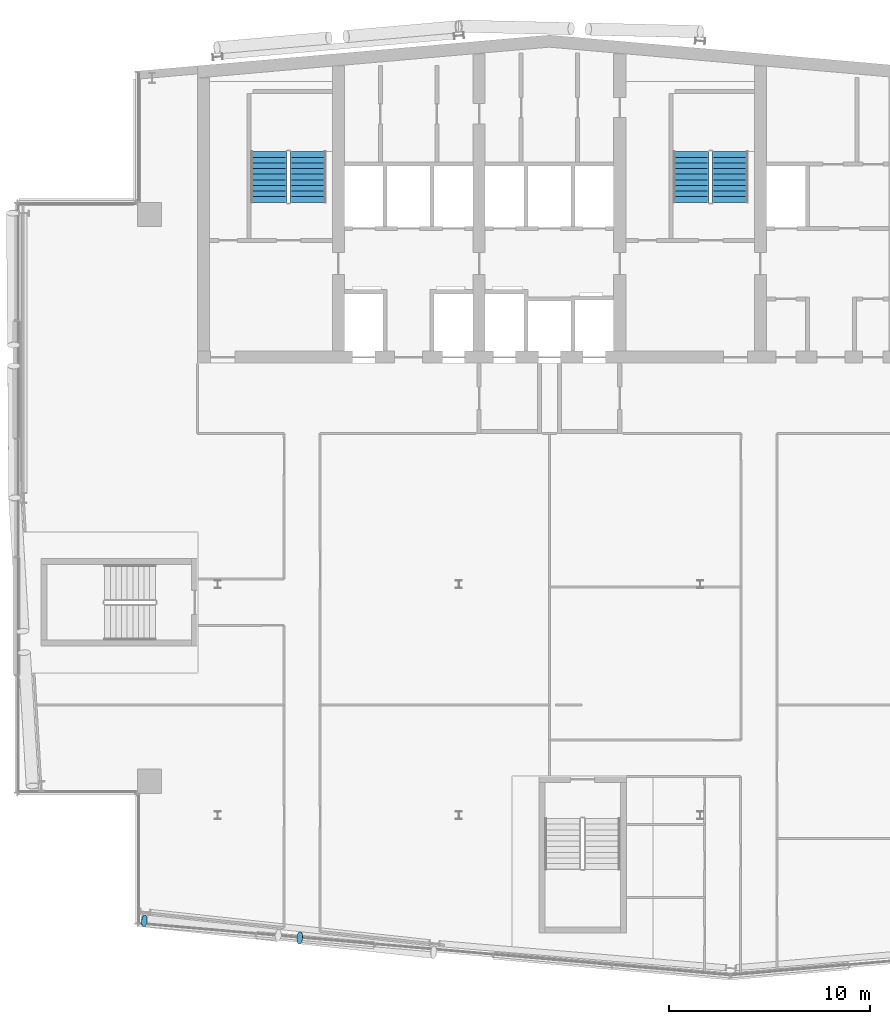
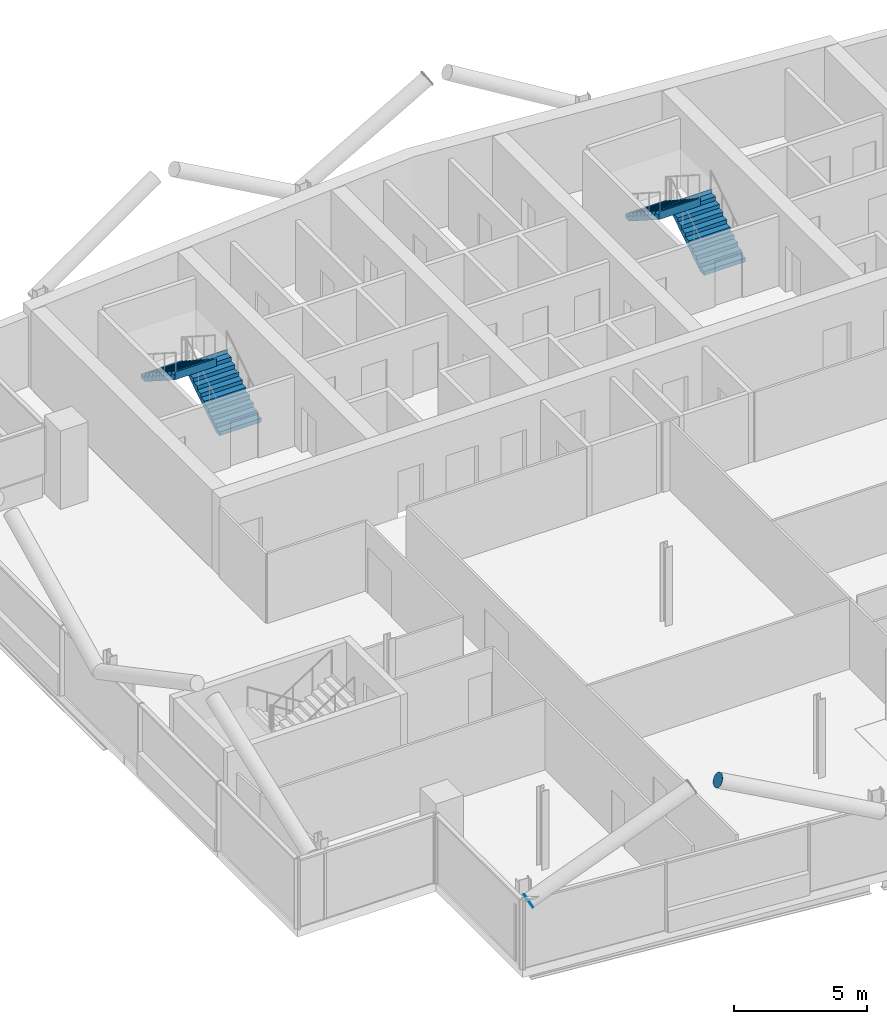
# One storey, part 21 of 28: 4 stair flights, 2 discrete accessories, 2 elements without a shape of their own.
"""IFC4 building model written with IfcOpenShell, lengths in metres."""

from ifc_helpers import new_model, si_unit, direction, frame, origin, origin_2d, place, context, subcontext, project, spatial, polyline, circle, outline, extrude, material, material_profile, profile_set, type_object, element, aggregate, save


model = new_model("IFC4")

# Units and contexts
model_context = context("Model", 3, precision=1e-05, world=origin(), true_north=direction((0.0, 1.0)))
body_context = subcontext(model_context, "Body", "Model", "MODEL_VIEW")
ifc_project = project(units=[si_unit("LENGTHUNIT", "METRE"), si_unit("AREAUNIT", "SQUARE_METRE"), si_unit("VOLUMEUNIT", "CUBIC_METRE"), si_unit("PLANEANGLEUNIT", "RADIAN"), si_unit("MASSUNIT", "GRAM", prefix="KILO")], contexts=[model_context])

# Site, building, storey
site_placement = place(None, origin())
site = spatial("IfcSite", under=ifc_project, at=site_placement, CompositionType="ELEMENT")
building_placement = place(site_placement, origin())
building = spatial("IfcBuilding", under=site, at=building_placement, Name="Wharfspan Tower", CompositionType="ELEMENT")
storey_placement = place(building_placement, frame((0.0, 0.0, 250.300049)))
storey = spatial("IfcBuildingStorey", under=building, at=storey_placement, Name="L63", CompositionType="ELEMENT", Elevation=250.300049)

# Stair, stair flights
ifc_material_1 = material(Name="Concrete C40/50", Category="concrete")
stair_type = type_object("IfcStairType", Name="Half-turn stair 20 risers 180 mm", PredefinedType="HALF_TURN_STAIR", material=ifc_material_1)
stair_1_placement = place(storey_placement, origin())
stair_1 = element("IfcStair", 1, at=stair_1_placement, inside=storey, type_object=stair_type, Name="L63 stair ST1", PredefinedType="HALF_TURN_STAIR")
stair_flight_type = type_object("IfcStairFlightType", Name="Stair flight 20 risers 180 mm", PredefinedType="STRAIGHT", material=ifc_material_1)
stair_flight_1_placement = place(storey_placement, frame((28.5, 42.0, 0.0), z_axis=(0.0, 0.0, 1.0), x_axis=(0.0, 1.0, 0.0)))
stair_flight_1 = element("IfcStairFlight", 2, at=stair_flight_1_placement, type_object=stair_flight_type, Name="ST1 flight 1", NumberOfRisers=10, NumberOfTreads=9, PredefinedType="STRAIGHT", RiserHeight=0.18, TreadLength=0.28, context=body_context, shape_type="SweptSolid", body=[
    extrude(outline(polyline([(-0.011963, 0.0), (-0.011963, 0.179932), (0.0, 0.179932), (0.280029, 0.179932), (0.280029, 0.360107), (0.560059, 0.360107), (0.560059, 0.540039), (0.840088, 0.540039), (0.840088, 0.719971), (1.120117, 0.719971), (1.120117, 0.899902), (1.399902, 0.899902), (1.399902, 1.080078), (1.679932, 1.080078), (1.679932, 1.26001), (1.959961, 1.26001), (1.959961, 1.439941), (2.23999, 1.439941), (2.23999, 1.620117), (2.52002, 1.620117), (2.531982, 1.800049), (2.531982, 1.441895), (0.2771, 0.0), (-0.011963, 0.0)])), frame((0.0, 0.899902, 0.0), z_axis=(0.0, -1.0, 0.0), x_axis=(1.0, 0.0, 0.0)), (0.0, 0.0, 1.0), 0.899414),
    extrude(outline(polyline([(-0.011963, 0.0), (-0.011963, 0.179932), (0.0, 0.179932), (0.280029, 0.179932), (0.280029, 0.360107), (0.560059, 0.360107), (0.560059, 0.540039), (0.840088, 0.540039), (0.840088, 0.719971), (1.120117, 0.719971), (1.120117, 0.899902), (1.399902, 0.899902), (1.399902, 1.080078), (1.679932, 1.080078), (1.679932, 1.26001), (1.959961, 1.26001), (1.959961, 1.439941), (2.23999, 1.439941), (2.23999, 1.620117), (2.52002, 1.620117), (2.531982, 1.800049), (2.531982, 1.441895), (0.2771, 0.0), (-0.011963, 0.0)])), frame((0.0, -0.000488, 0.0), z_axis=(0.0, -1.0, 0.0), x_axis=(1.0, 0.0, 0.0)), (0.0, 0.0, 1.0), 0.899414),
])
stair_flight_2_placement = place(storey_placement, frame((26.550049, 44.52002, 1.800049), z_axis=(0.0, 0.0, 1.0), x_axis=(0.0, -1.0, 0.0)))
stair_flight_2 = element("IfcStairFlight", 3, at=stair_flight_2_placement, type_object=stair_flight_type, Name="ST1 flight 2", NumberOfRisers=10, NumberOfTreads=9, PredefinedType="STRAIGHT", RiserHeight=0.18, TreadLength=0.28, context=body_context, shape_type="SweptSolid", body=[
    extrude(outline(polyline([(-0.011963, 0.0), (-0.011963, 0.179932), (0.0, 0.179932), (0.280029, 0.179932), (0.280029, 0.360107), (0.560059, 0.360107), (0.560059, 0.540039), (0.840088, 0.540039), (0.840088, 0.719971), (1.120117, 0.719971), (1.120117, 0.899902), (1.399902, 0.899902), (1.399902, 1.080078), (1.679932, 1.080078), (1.679932, 1.26001), (1.959961, 1.26001), (1.959961, 1.439941), (2.23999, 1.439941), (2.23999, 1.620117), (2.52002, 1.620117), (2.531982, 1.800049), (2.531982, 1.441895), (0.2771, 0.0), (-0.011963, 0.0)])), frame((0.0, 0.899902, 0.0), z_axis=(0.0, -1.0, 0.0), x_axis=(1.0, 0.0, 0.0)), (0.0, 0.0, 1.0), 0.899414),
    extrude(outline(polyline([(-0.011963, 0.0), (-0.011963, 0.179932), (0.0, 0.179932), (0.280029, 0.179932), (0.280029, 0.360107), (0.560059, 0.360107), (0.560059, 0.540039), (0.840088, 0.540039), (0.840088, 0.719971), (1.120117, 0.719971), (1.120117, 0.899902), (1.399902, 0.899902), (1.399902, 1.080078), (1.679932, 1.080078), (1.679932, 1.26001), (1.959961, 1.26001), (1.959961, 1.439941), (2.23999, 1.439941), (2.23999, 1.620117), (2.52002, 1.620117), (2.531982, 1.800049), (2.531982, 1.441895), (0.2771, 0.0), (-0.011963, 0.0)])), frame((0.0, -0.000488, 0.0), z_axis=(0.0, -1.0, 0.0), x_axis=(1.0, 0.0, 0.0)), (0.0, 0.0, 1.0), 0.899414),
])
aggregate(stair_1, [stair_flight_1, stair_flight_2])

stair_2_placement = place(storey_placement, origin())
stair_2 = element("IfcStair", 4, at=stair_2_placement, inside=storey, type_object=stair_type, Name="L63 stair ST2", PredefinedType="HALF_TURN_STAIR")
stair_flight_3_placement = place(storey_placement, frame((49.5, 42.0, 0.0), z_axis=(0.0, 0.0, 1.0), x_axis=(0.0, 1.0, 0.0)))
stair_flight_3 = element("IfcStairFlight", 5, at=stair_flight_3_placement, type_object=stair_flight_type, Name="ST2 flight 1", NumberOfRisers=10, NumberOfTreads=9, PredefinedType="STRAIGHT", RiserHeight=0.18, TreadLength=0.28, context=body_context, shape_type="SweptSolid", body=[
    extrude(outline(polyline([(-0.011963, 0.0), (-0.011963, 0.179932), (0.0, 0.179932), (0.280029, 0.179932), (0.280029, 0.360107), (0.560059, 0.360107), (0.560059, 0.540039), (0.840088, 0.540039), (0.840088, 0.719971), (1.120117, 0.719971), (1.120117, 0.899902), (1.399902, 0.899902), (1.399902, 1.080078), (1.679932, 1.080078), (1.679932, 1.26001), (1.959961, 1.26001), (1.959961, 1.439941), (2.23999, 1.439941), (2.23999, 1.620117), (2.52002, 1.620117), (2.531982, 1.800049), (2.531982, 1.441895), (0.2771, 0.0), (-0.011963, 0.0)])), frame((0.0, 0.899902, 0.0), z_axis=(0.0, -1.0, 0.0), x_axis=(1.0, 0.0, 0.0)), (0.0, 0.0, 1.0), 0.899414),
    extrude(outline(polyline([(-0.011963, 0.0), (-0.011963, 0.179932), (0.0, 0.179932), (0.280029, 0.179932), (0.280029, 0.360107), (0.560059, 0.360107), (0.560059, 0.540039), (0.840088, 0.540039), (0.840088, 0.719971), (1.120117, 0.719971), (1.120117, 0.899902), (1.399902, 0.899902), (1.399902, 1.080078), (1.679932, 1.080078), (1.679932, 1.26001), (1.959961, 1.26001), (1.959961, 1.439941), (2.23999, 1.439941), (2.23999, 1.620117), (2.52002, 1.620117), (2.531982, 1.800049), (2.531982, 1.441895), (0.2771, 0.0), (-0.011963, 0.0)])), frame((0.0, -0.000488, 0.0), z_axis=(0.0, -1.0, 0.0), x_axis=(1.0, 0.0, 0.0)), (0.0, 0.0, 1.0), 0.899414),
])
stair_flight_4_placement = place(storey_placement, frame((47.550049, 44.52002, 1.800049), z_axis=(0.0, 0.0, 1.0), x_axis=(0.0, -1.0, 0.0)))
stair_flight_4 = element("IfcStairFlight", 6, at=stair_flight_4_placement, type_object=stair_flight_type, Name="ST2 flight 2", NumberOfRisers=10, NumberOfTreads=9, PredefinedType="STRAIGHT", RiserHeight=0.18, TreadLength=0.28, context=body_context, shape_type="SweptSolid", body=[
    extrude(outline(polyline([(-0.011963, 0.0), (-0.011963, 0.179932), (0.0, 0.179932), (0.280029, 0.179932), (0.280029, 0.360107), (0.560059, 0.360107), (0.560059, 0.540039), (0.840088, 0.540039), (0.840088, 0.719971), (1.120117, 0.719971), (1.120117, 0.899902), (1.399902, 0.899902), (1.399902, 1.080078), (1.679932, 1.080078), (1.679932, 1.26001), (1.959961, 1.26001), (1.959961, 1.439941), (2.23999, 1.439941), (2.23999, 1.620117), (2.52002, 1.620117), (2.531982, 1.800049), (2.531982, 1.441895), (0.2771, 0.0), (-0.011963, 0.0)])), frame((0.0, 0.899902, 0.0), z_axis=(0.0, -1.0, 0.0), x_axis=(1.0, 0.0, 0.0)), (0.0, 0.0, 1.0), 0.899414),
    extrude(outline(polyline([(-0.011963, 0.0), (-0.011963, 0.179932), (0.0, 0.179932), (0.280029, 0.179932), (0.280029, 0.360107), (0.560059, 0.360107), (0.560059, 0.540039), (0.840088, 0.540039), (0.840088, 0.719971), (1.120117, 0.719971), (1.120117, 0.899902), (1.399902, 0.899902), (1.399902, 1.080078), (1.679932, 1.080078), (1.679932, 1.26001), (1.959961, 1.26001), (1.959961, 1.439941), (2.23999, 1.439941), (2.23999, 1.620117), (2.52002, 1.620117), (2.531982, 1.800049), (2.531982, 1.441895), (0.2771, 0.0), (-0.011963, 0.0)])), frame((0.0, -0.000488, 0.0), z_axis=(0.0, -1.0, 0.0), x_axis=(1.0, 0.0, 0.0)), (0.0, 0.0, 1.0), 0.899414),
])
aggregate(stair_2, [stair_flight_3, stair_flight_4])

# Discrete accessories
ifc_material_2 = material(Name="Steel S460NH", Category="steel")
ifc_material_profile = material_profile(ifc_material_2, circle(Radius=0.304932, at=origin_2d()))
ifc_profile_set = profile_set([ifc_material_profile], Name="Steel S460NH")
discrete_accessory_type = type_object("IfcDiscreteAccessoryType", Name="End plate CHS 610x25", PredefinedType="BRACKET", material=ifc_profile_set)
discrete_accessory_1_placement = place(storey_placement, frame((20.34375, 6.250244, 2.895508), z_axis=(0.890043, -0.098894, 0.445021), x_axis=(0.110431, 0.99388, 1e-06)))
element("IfcDiscreteAccessory", 7, at=discrete_accessory_1_placement, inside=storey, type_object=discrete_accessory_type, Name="End plate CHS 610x25", PredefinedType="BRACKET", context=body_context, shape_type="SweptSolid", body=[
    extrude(circle(Radius=0.304932, at=origin_2d()), origin(), (0.0, 0.0, 1.0), 0.009766),
])
discrete_accessory_2_placement = place(storey_placement, frame((28.088867, 5.410889, 6.22876), z_axis=(-0.880146, 0.097794, 0.464521), x_axis=(-0.110432, -0.993888, 0.0)))
element("IfcDiscreteAccessory", 8, at=discrete_accessory_2_placement, inside=storey, type_object=discrete_accessory_type, Name="End plate CHS 610x25", PredefinedType="BRACKET", context=body_context, shape_type="SweptSolid", body=[
    extrude(circle(Radius=0.304932, at=origin_2d()), origin(), (0.0, 0.0, 1.0), 0.01001),
])

save(model, "model.ifc")
